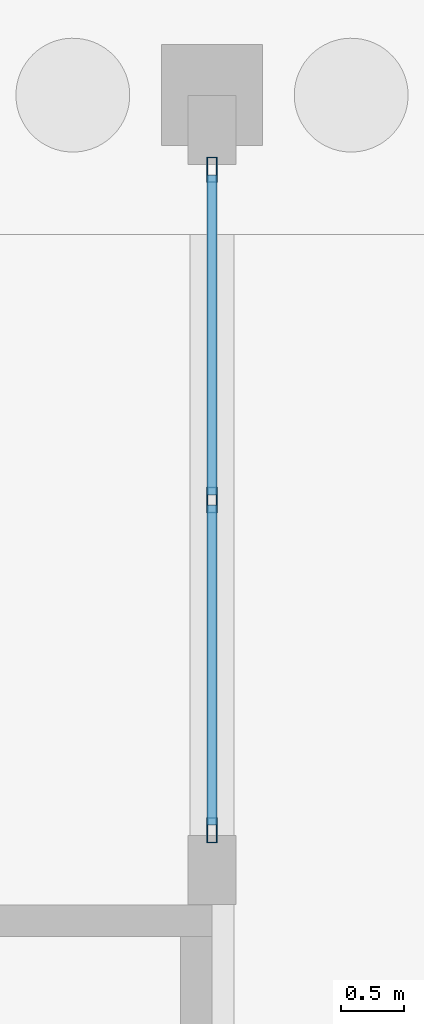
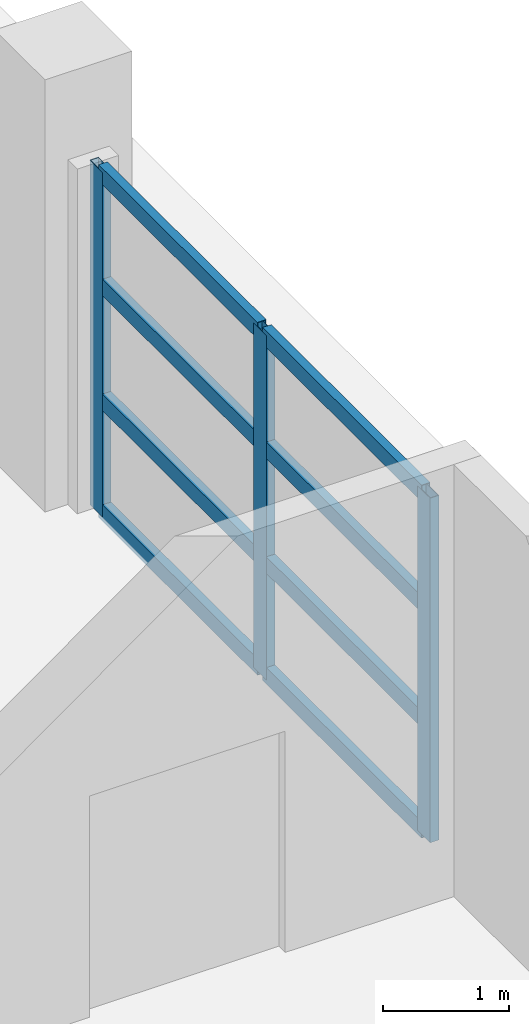
# One storey, part 45 of 77: 11 members, 1 element without a shape of its own.
"""IFC4 building model written with IfcOpenShell, lengths in metres."""

from ifc_helpers import new_model, si_unit, direction, frame, origin, origin_2d, place, context, subcontext, project, spatial, hollow_rectangle, extrude, material, layer, layer_set, material_profile, profile_set, type_object, element, aggregate, save


model = new_model("IFC4")

# Units and contexts
model_context = context("Model", 3, precision=1e-05, world=origin(), true_north=direction((0.0, 1.0)))
body_context = subcontext(model_context, "Body", "Model", "MODEL_VIEW")
ifc_project = project(units=[si_unit("LENGTHUNIT", "METRE"), si_unit("AREAUNIT", "SQUARE_METRE"), si_unit("VOLUMEUNIT", "CUBIC_METRE"), si_unit("PLANEANGLEUNIT", "RADIAN"), si_unit("MASSUNIT", "GRAM", prefix="KILO")], contexts=[model_context])

# Site, building, storey
site_placement = place(None, origin())
site = spatial("IfcSite", under=ifc_project, at=site_placement, CompositionType="ELEMENT")
building_placement = place(site_placement, origin())
building = spatial("IfcBuilding", under=site, at=building_placement, Name="Zilviju Railside Exhibition Hall", CompositionType="ELEMENT")
storey_placement = place(building_placement, origin())
storey = spatial("IfcBuildingStorey", under=building, at=storey_placement, Name="L01", CompositionType="ELEMENT", Elevation=0.0)

# Curtain wall, members
ifc_material_1 = material(Name="Thermally broken aluminium-steel triple-glazed curtain wall", Category="steel")
ifc_layer = layer(ifc_material_1, 0.179931640625)
ifc_layer_set = layer_set([ifc_layer], Name="Thermally broken aluminium-steel triple-glazed curtain wall")
curtain_wall_type = type_object("IfcCurtainWallType", Name="CW-BAY-04", PredefinedType="USERDEFINED", material=ifc_layer_set)
curtain_wall_placement = place(storey_placement, origin())
curtain_wall = element("IfcCurtainWall", 1, at=curtain_wall_placement, inside=storey, type_object=curtain_wall_type, Name="North Hall East Glazed Gable L01 (114..120)", ObjectType="GLAZED CURTAIN WALL", PredefinedType="USERDEFINED")
ifc_material_2 = material(Name="Thermally broken anodized aluminium mullion", Category="aluminium")
ifc_material_profile_1 = material_profile(ifc_material_2, hollow_rectangle(XDim=0.080078125, YDim=0.199951171875, WallThickness=0.0048828125, at=origin_2d()), Name="MULLION 200x80x5")
ifc_profile_set_1 = profile_set([ifc_material_profile_1], Name="Thermally broken anodized aluminium mullion")
member_type_1 = type_object("IfcMemberType", Name="CWM-80x200", PredefinedType="MULLION", material=ifc_profile_set_1)
member_1_placement = place(storey_placement, frame((216.0, 119.409912109375, 0.0), z_axis=(0.0, 0.0, 1.0), x_axis=(1.0, 0.0, 0.0)))
member_1 = element("IfcMember", 2, at=member_1_placement, type_object=member_type_1, Name="CW-04 mullion 1", PredefinedType="MULLION", context=body_context, shape_type="SweptSolid", body=[
    extrude(hollow_rectangle(XDim=0.080078125, YDim=0.199951171875, WallThickness=0.0048828125, at=origin_2d()), origin(), (0.0, 0.0, 1.0), 3.35009765625),
])
member_2_placement = place(storey_placement, frame((216.0, 116.800048828125, 0.0), z_axis=(0.0, 0.0, 1.0), x_axis=(1.0, 0.0, 0.0)))
member_2 = element("IfcMember", 3, at=member_2_placement, type_object=member_type_1, Name="CW-04 mullion 2", PredefinedType="MULLION", context=body_context, shape_type="SweptSolid", body=[
    extrude(hollow_rectangle(XDim=0.080078125, YDim=0.199951171875, WallThickness=0.0048828125, at=origin_2d()), origin(), (0.0, 0.0, 1.0), 3.35009765625),
])
member_3_placement = place(storey_placement, frame((216.0, 114.18994140625, 0.0), z_axis=(0.0, 0.0, 1.0), x_axis=(1.0, 0.0, 0.0)))
member_3 = element("IfcMember", 4, at=member_3_placement, type_object=member_type_1, Name="CW-04 mullion 3", PredefinedType="MULLION", context=body_context, shape_type="SweptSolid", body=[
    extrude(hollow_rectangle(XDim=0.080078125, YDim=0.199951171875, WallThickness=0.0048828125, at=origin_2d()), origin(), (0.0, 0.0, 1.0), 3.35009765625),
])
ifc_material_3 = material(Name="Thermally broken anodized aluminium transom", Category="aluminium")
ifc_material_profile_2 = material_profile(ifc_material_3, hollow_rectangle(XDim=0.080078125, YDim=0.159912109375, WallThickness=0.0048828125, at=origin_2d()), Name="TRANSOM 160x80x5")
ifc_profile_set_2 = profile_set([ifc_material_profile_2], Name="Thermally broken anodized aluminium transom")
member_type_2 = type_object("IfcMemberType", Name="CWT-80x160", PredefinedType="USERDEFINED", material=ifc_profile_set_2)
member_4_placement = place(storey_placement, frame((216.0, 119.3701171875, 0.0400390625), z_axis=(0.0, -1.0, 0.0), x_axis=(1.0, 0.0, 0.0)))
member_4 = element("IfcMember", 5, at=member_4_placement, type_object=member_type_2, Name="CW-04 transom 1.1", ObjectType="TRANSOM", PredefinedType="USERDEFINED", context=body_context, shape_type="SweptSolid", body=[
    extrude(hollow_rectangle(XDim=0.080078125, YDim=0.159912109375, WallThickness=0.0048828125, at=origin_2d()), origin(), (0.0, 0.0, 1.0), 2.530029296875),
])
member_5_placement = place(storey_placement, frame((216.0, 119.3701171875, 1.116943359375), z_axis=(0.0, -1.0, 0.0), x_axis=(1.0, 0.0, 0.0)))
member_5 = element("IfcMember", 6, at=member_5_placement, type_object=member_type_2, Name="CW-04 transom 1.2", ObjectType="TRANSOM", PredefinedType="USERDEFINED", context=body_context, shape_type="SweptSolid", body=[
    extrude(hollow_rectangle(XDim=0.080078125, YDim=0.159912109375, WallThickness=0.0048828125, at=origin_2d()), origin(), (0.0, 0.0, 1.0), 2.530029296875),
])
member_6_placement = place(storey_placement, frame((216.0, 119.3701171875, 2.23291015625), z_axis=(0.0, -1.0, 0.0), x_axis=(1.0, 0.0, 0.0)))
member_6 = element("IfcMember", 7, at=member_6_placement, type_object=member_type_2, Name="CW-04 transom 1.3", ObjectType="TRANSOM", PredefinedType="USERDEFINED", context=body_context, shape_type="SweptSolid", body=[
    extrude(hollow_rectangle(XDim=0.080078125, YDim=0.159912109375, WallThickness=0.0048828125, at=origin_2d()), origin(), (0.0, 0.0, 1.0), 2.530029296875),
])
member_7_placement = place(storey_placement, frame((216.0, 119.3701171875, 3.31005859375), z_axis=(0.0, -1.0, 0.0), x_axis=(1.0, 0.0, 0.0)))
member_7 = element("IfcMember", 8, at=member_7_placement, type_object=member_type_2, Name="CW-04 transom 1.4", ObjectType="TRANSOM", PredefinedType="USERDEFINED", context=body_context, shape_type="SweptSolid", body=[
    extrude(hollow_rectangle(XDim=0.080078125, YDim=0.159912109375, WallThickness=0.0048828125, at=origin_2d()), origin(), (0.0, 0.0, 1.0), 2.530029296875),
])
member_8_placement = place(storey_placement, frame((216.0, 116.760009765625, 0.0400390625), z_axis=(0.0, -1.0, 0.0), x_axis=(1.0, 0.0, 0.0)))
member_8 = element("IfcMember", 9, at=member_8_placement, type_object=member_type_2, Name="CW-04 transom 2.1", ObjectType="TRANSOM", PredefinedType="USERDEFINED", context=body_context, shape_type="SweptSolid", body=[
    extrude(hollow_rectangle(XDim=0.080078125, YDim=0.159912109375, WallThickness=0.0048828125, at=origin_2d()), origin(), (0.0, 0.0, 1.0), 2.530029296875),
])
member_9_placement = place(storey_placement, frame((216.0, 116.760009765625, 1.116943359375), z_axis=(0.0, -1.0, 0.0), x_axis=(1.0, 0.0, 0.0)))
member_9 = element("IfcMember", 10, at=member_9_placement, type_object=member_type_2, Name="CW-04 transom 2.2", ObjectType="TRANSOM", PredefinedType="USERDEFINED", context=body_context, shape_type="SweptSolid", body=[
    extrude(hollow_rectangle(XDim=0.080078125, YDim=0.159912109375, WallThickness=0.0048828125, at=origin_2d()), origin(), (0.0, 0.0, 1.0), 2.530029296875),
])
member_10_placement = place(storey_placement, frame((216.0, 116.760009765625, 2.23291015625), z_axis=(0.0, -1.0, 0.0), x_axis=(1.0, 0.0, 0.0)))
member_10 = element("IfcMember", 11, at=member_10_placement, type_object=member_type_2, Name="CW-04 transom 2.3", ObjectType="TRANSOM", PredefinedType="USERDEFINED", context=body_context, shape_type="SweptSolid", body=[
    extrude(hollow_rectangle(XDim=0.080078125, YDim=0.159912109375, WallThickness=0.0048828125, at=origin_2d()), origin(), (0.0, 0.0, 1.0), 2.530029296875),
])
member_11_placement = place(storey_placement, frame((216.0, 116.760009765625, 3.31005859375), z_axis=(0.0, -1.0, 0.0), x_axis=(1.0, 0.0, 0.0)))
member_11 = element("IfcMember", 12, at=member_11_placement, type_object=member_type_2, Name="CW-04 transom 2.4", ObjectType="TRANSOM", PredefinedType="USERDEFINED", context=body_context, shape_type="SweptSolid", body=[
    extrude(hollow_rectangle(XDim=0.080078125, YDim=0.159912109375, WallThickness=0.0048828125, at=origin_2d()), origin(), (0.0, 0.0, 1.0), 2.530029296875),
])
aggregate(curtain_wall, [member_1, member_2, member_3, member_4, member_5, member_6, member_7, member_8, member_9, member_10, member_11])

save(model, "model.ifc")
